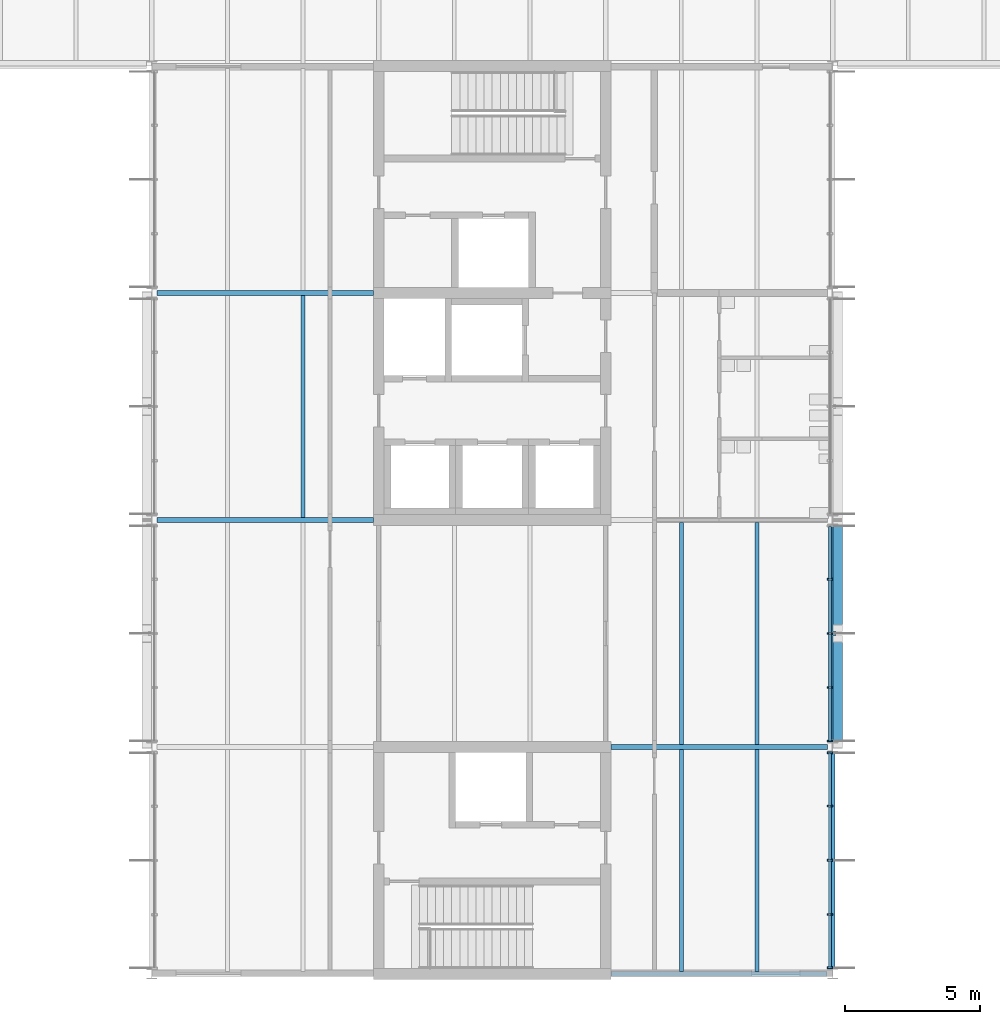
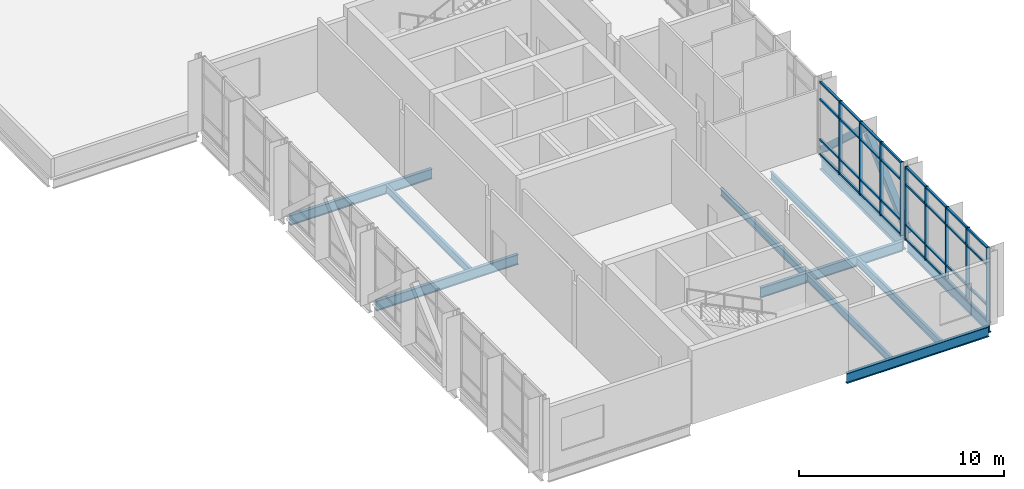
# One storey, part 7 of 26: 43 members, 11 beams, 2 elements without a shape of their own.
"""IFC4 building model written with IfcOpenShell, lengths in metres."""

from ifc_helpers import new_model, si_unit, direction, frame, origin, origin_2d, place, context, subcontext, project, spatial, rectangle, hollow_rectangle, i_section, extrude, material, material_profile, profile_set, type_object, element, aggregate, save


model = new_model("IFC4")

# Units and contexts
model_context = context("Model", 3, precision=1e-05, world=origin(), true_north=direction((0.0, 1.0)))
body_context = subcontext(model_context, "Body", "Model", "MODEL_VIEW")
ifc_project = project(units=[si_unit("LENGTHUNIT", "METRE"), si_unit("AREAUNIT", "SQUARE_METRE"), si_unit("VOLUMEUNIT", "CUBIC_METRE"), si_unit("PLANEANGLEUNIT", "RADIAN"), si_unit("MASSUNIT", "GRAM", prefix="KILO")], contexts=[model_context])

# Site, building, storey
site_placement = place(None, origin())
site = spatial("IfcSite", under=ifc_project, at=site_placement, CompositionType="ELEMENT")
building_placement = place(site_placement, origin())
building = spatial("IfcBuilding", under=site, at=building_placement, Name="Hlaing Beacon Police Headquarters", CompositionType="ELEMENT")
storey_placement = place(building_placement, frame((0.0, 0.0, 23.39990234375)))
storey = spatial("IfcBuildingStorey", under=building, at=storey_placement, Name="L05", CompositionType="ELEMENT", Elevation=23.39990234375)

# Members
ifc_material_1 = material(Name="Steel ASTM A500 Grade C", Category="steel")
ifc_material_profile_1 = material_profile(ifc_material_1, hollow_rectangle(XDim=0.355712890625, YDim=0.355712890625, WallThickness=0.0126953125, at=origin_2d()), Name="HSS14x14x1/2")
ifc_profile_set_1 = profile_set([ifc_material_profile_1], Name="Steel ASTM A500 Grade C")
member_type_1 = type_object("IfcMemberType", Name="Chevron brace HSS14x14x1/2", PredefinedType="BRACE", material=ifc_profile_set_1)
for number, where, z_axis, x_axis, name in (
    (1, (126.181884765625, 42.071044921875, 0.131103515625), (0.0, 0.73795116487, 0.674854116286), (-1.0, 0.0, 0.0), "STR-BR-L05-R6a"),
    (2, (126.181884765625, 50.3291015625, 0.131103515625), (0.0, -0.737972047652, 0.674831280309), (1.0, 0.0, 0.0), "STR-BR-L05-R6b"),
):
    element("IfcMember", number, at=place(storey_placement, frame(where, z_axis=z_axis, x_axis=x_axis)), inside=storey, type_object=member_type_1, Name=name, PredefinedType="BRACE", context=body_context, shape_type="SweptSolid", body=[
        extrude(hollow_rectangle(XDim=0.355712890625, YDim=0.355712890625, WallThickness=0.0126953125, at=origin_2d()), origin(), (0.0, 0.0, 1.0), 5.32421875),
    ])

# Beams
ifc_material_2 = material(Name="Steel ASTM A992 Grade 50", Category="steel")
ifc_material_profile_2 = material_profile(ifc_material_2, i_section(OverallWidth=0.177978515625, OverallDepth=0.599365234375, WebThickness=0.010009765625, FlangeThickness=0.012939453125, FilletRadius=0.012939453125, at=origin_2d()), Name="W24x55")
ifc_profile_set_2 = profile_set([ifc_material_profile_2], Name="Steel ASTM A992 Grade 50")
beam_type_1 = type_object("IfcBeamType", Name="Girder W24x55", PredefinedType="BEAM", material=ifc_profile_set_2)
beam_1_placement = place(storey_placement, frame((117.800048828125, 33.60009765625, -0.4296875), z_axis=(1.0, 0.0, 0.0), x_axis=(0.0, 1.0, 0.0)))
element("IfcBeam", 3, at=beam_1_placement, inside=storey, type_object=beam_type_1, Name="STR-BM-L05-GX-Q5-R5", PredefinedType="BEAM", context=body_context, shape_type="SweptSolid", body=[
    extrude(i_section(OverallWidth=0.177978515625, OverallDepth=0.599365234375, WebThickness=0.010009765625, FlangeThickness=0.012939453125, FilletRadius=0.012939453125, at=origin_2d()), origin(), (0.0, 0.0, 1.0), 7.998046875),
])
for number, where, z_axis, x_axis, name in (
    (4, (117.800048828125, 42.0, -0.4296875), (1.0, 0.0, 0.0), (0.0, 1.0, 0.0), "STR-BM-L05-GX-Q6-R6"),
    (5, (100.9970703125, 50.39990234375, -0.4296875), (1.0, 0.0, 0.0), (0.0, 1.0, 0.0), "STR-BM-L05-GX-N7-P7"),
    (6, (100.9970703125, 58.800048828125, -0.4296875), (1.0, 0.0, 0.0), (0.0, 1.0, 0.0), "STR-BM-L05-GX-N8-P8"),
):
    element("IfcBeam", number, at=place(storey_placement, frame(where, z_axis=z_axis, x_axis=x_axis)), inside=storey, type_object=beam_type_1, Name=name, PredefinedType="BEAM", context=body_context, shape_type="SweptSolid", body=[
        extrude(i_section(OverallWidth=0.177978515625, OverallDepth=0.599365234375, WebThickness=0.010009765625, FlangeThickness=0.012939453125, FilletRadius=0.012939453125, at=origin_2d()), origin(), (0.0, 0.0, 1.0), 8.0029296875),
    ])
beam_2_placement = place(storey_placement, frame((126.0, 33.802978515625, -0.4296875), z_axis=(0.0, 1.0, 0.0), x_axis=(-1.0, 0.0, 0.0)))
element("IfcBeam", 7, at=beam_2_placement, inside=storey, type_object=beam_type_1, Name="STR-BM-L05-GY-R5-R6", PredefinedType="BEAM", context=body_context, shape_type="SweptSolid", body=[
    extrude(i_section(OverallWidth=0.177978515625, OverallDepth=0.599365234375, WebThickness=0.010009765625, FlangeThickness=0.012939453125, FilletRadius=0.012939453125, at=origin_2d()), origin(), (0.0, 0.0, 1.0), 8.009033203125),
])
ifc_material_3 = material(Name="Steel ASTM A992 Grade 50", Category="steel")
ifc_material_profile_3 = material_profile(ifc_material_3, i_section(OverallWidth=0.2666015625, OverallDepth=0.761962890625, WebThickness=0.014404296875, FlangeThickness=0.021484375, FilletRadius=0.0166015625, at=origin_2d()), Name="W30x116")
ifc_profile_set_3 = profile_set([ifc_material_profile_3], Name="Steel ASTM A992 Grade 50")
beam_type_2 = type_object("IfcBeamType", Name="Girder W30x116", PredefinedType="BEAM", material=ifc_profile_set_3)
beam_3_placement = place(storey_placement, frame((126.0, 42.18798828125, -0.510986328125), z_axis=(0.0, 1.0, 0.0), x_axis=(-1.0, 0.0, 0.0)))
element("IfcBeam", 8, at=beam_3_placement, inside=storey, type_object=beam_type_2, Name="STR-BM-L05-GY-R6-R7", PredefinedType="BEAM", context=body_context, shape_type="SweptSolid", body=[
    extrude(i_section(OverallWidth=0.2666015625, OverallDepth=0.761962890625, WebThickness=0.014404296875, FlangeThickness=0.021484375, FilletRadius=0.0166015625, at=origin_2d()), origin(), (0.0, 0.0, 1.0), 8.02392578125),
])

# Curtain wall, members
ifc_material_4 = material(Name="Aluminium frame with solar control glazing", Category="aluminium")
curtain_wall_type_1 = type_object("IfcCurtainWallType", Name="Unitised curtain wall 8.02 x 4.37", PredefinedType="NOTDEFINED", material=ifc_material_4)
curtain_wall_1_placement = place(storey_placement, origin())
curtain_wall_1 = element("IfcCurtainWall", 9, at=curtain_wall_1_placement, inside=storey, type_object=curtain_wall_type_1, Name="ENV-CW-L05-E001", PredefinedType="NOTDEFINED")
ifc_material_5 = material(Name="Aluminium", Category="aluminium")
ifc_material_profile_4 = material_profile(ifc_material_5, rectangle(XDim=0.199951171875, YDim=0.06005859375, at=origin_2d()), Name="Mullion 60x200")
ifc_profile_set_4 = profile_set([ifc_material_profile_4], Name="Aluminium")
member_type_2 = type_object("IfcMemberType", Name="Mullion 60x200", PredefinedType="MULLION", material=ifc_profile_set_4)
member_1_placement = place(storey_placement, frame((125.89990234375, 33.826904296875, 0.0), z_axis=(0.0, 0.0, 1.0), x_axis=(-1.0, 0.0, 0.0)))
member_1 = element("IfcMember", 10, at=member_1_placement, type_object=member_type_2, Name="CW-L05-E001 mullion 1", PredefinedType="MULLION", context=body_context, shape_type="SweptSolid", body=[
    extrude(rectangle(XDim=0.199951171875, YDim=0.06005859375, at=origin_2d()), origin(), (0.0, 0.0, 1.0), 4.3701171875),
])
member_2_placement = place(storey_placement, frame((125.89990234375, 35.801025390625, 0.0), z_axis=(0.0, 0.0, 1.0), x_axis=(-1.0, 0.0, 0.0)))
member_2 = element("IfcMember", 11, at=member_2_placement, type_object=member_type_2, Name="CW-L05-E001 mullion 2", PredefinedType="MULLION", context=body_context, shape_type="SweptSolid", body=[
    extrude(rectangle(XDim=0.199951171875, YDim=0.06005859375, at=origin_2d()), origin(), (0.0, 0.0, 1.0), 4.3701171875),
])
member_3_placement = place(storey_placement, frame((125.89990234375, 37.804931640625, 0.0), z_axis=(0.0, 0.0, 1.0), x_axis=(-1.0, 0.0, 0.0)))
member_3 = element("IfcMember", 12, at=member_3_placement, type_object=member_type_2, Name="CW-L05-E001 mullion 3", PredefinedType="MULLION", context=body_context, shape_type="SweptSolid", body=[
    extrude(rectangle(XDim=0.199951171875, YDim=0.06005859375, at=origin_2d()), origin(), (0.0, 0.0, 1.0), 4.3701171875),
])
member_4_placement = place(storey_placement, frame((125.89990234375, 39.80908203125, 0.0), z_axis=(0.0, 0.0, 1.0), x_axis=(-1.0, 0.0, 0.0)))
member_4 = element("IfcMember", 13, at=member_4_placement, type_object=member_type_2, Name="CW-L05-E001 mullion 4", PredefinedType="MULLION", context=body_context, shape_type="SweptSolid", body=[
    extrude(rectangle(XDim=0.199951171875, YDim=0.06005859375, at=origin_2d()), origin(), (0.0, 0.0, 1.0), 4.3701171875),
])
member_5_placement = place(storey_placement, frame((125.89990234375, 41.783203125, 0.0), z_axis=(0.0, 0.0, 1.0), x_axis=(-1.0, 0.0, 0.0)))
member_5 = element("IfcMember", 14, at=member_5_placement, type_object=member_type_2, Name="CW-L05-E001 mullion 5", PredefinedType="MULLION", context=body_context, shape_type="SweptSolid", body=[
    extrude(rectangle(XDim=0.199951171875, YDim=0.06005859375, at=origin_2d()), origin(), (0.0, 0.0, 1.0), 4.3701171875),
])

ifc_material_6 = material(Name="Aluminium frame with solar control glazing", Category="aluminium")
curtain_wall_type_2 = type_object("IfcCurtainWallType", Name="Unitised curtain wall 8.03 x 4.37", PredefinedType="NOTDEFINED", material=ifc_material_6)
curtain_wall_2_placement = place(storey_placement, origin())
curtain_wall_2 = element("IfcCurtainWall", 15, at=curtain_wall_2_placement, inside=storey, type_object=curtain_wall_type_2, Name="ENV-CW-L05-E002", PredefinedType="NOTDEFINED")
member_6_placement = place(storey_placement, frame((125.89990234375, 42.216796875, 0.0), z_axis=(0.0, 0.0, 1.0), x_axis=(-1.0, 0.0, 0.0)))
member_6 = element("IfcMember", 16, at=member_6_placement, type_object=member_type_2, Name="CW-L05-E002 mullion 1", PredefinedType="MULLION", context=body_context, shape_type="SweptSolid", body=[
    extrude(rectangle(XDim=0.199951171875, YDim=0.06005859375, at=origin_2d()), origin(), (0.0, 0.0, 1.0), 4.3701171875),
])
member_7_placement = place(storey_placement, frame((125.89990234375, 44.193359375, 0.0), z_axis=(0.0, 0.0, 1.0), x_axis=(-1.0, 0.0, 0.0)))
member_7 = element("IfcMember", 17, at=member_7_placement, type_object=member_type_2, Name="CW-L05-E002 mullion 2", PredefinedType="MULLION", context=body_context, shape_type="SweptSolid", body=[
    extrude(rectangle(XDim=0.199951171875, YDim=0.06005859375, at=origin_2d()), origin(), (0.0, 0.0, 1.0), 4.3701171875),
])
member_8_placement = place(storey_placement, frame((125.89990234375, 46.199951171875, 0.0), z_axis=(0.0, 0.0, 1.0), x_axis=(-1.0, 0.0, 0.0)))
member_8 = element("IfcMember", 18, at=member_8_placement, type_object=member_type_2, Name="CW-L05-E002 mullion 3", PredefinedType="MULLION", context=body_context, shape_type="SweptSolid", body=[
    extrude(rectangle(XDim=0.199951171875, YDim=0.06005859375, at=origin_2d()), origin(), (0.0, 0.0, 1.0), 4.3701171875),
])
member_9_placement = place(storey_placement, frame((125.89990234375, 48.20654296875, 0.0), z_axis=(0.0, 0.0, 1.0), x_axis=(-1.0, 0.0, 0.0)))
member_9 = element("IfcMember", 19, at=member_9_placement, type_object=member_type_2, Name="CW-L05-E002 mullion 4", PredefinedType="MULLION", context=body_context, shape_type="SweptSolid", body=[
    extrude(rectangle(XDim=0.199951171875, YDim=0.06005859375, at=origin_2d()), origin(), (0.0, 0.0, 1.0), 4.3701171875),
])

# Beams
ifc_material_7 = material(Name="Steel ASTM A992 Grade 50", Category="steel")
ifc_material_profile_5 = material_profile(ifc_material_7, i_section(OverallWidth=0.15234375, OverallDepth=0.449462890625, WebThickness=0.007568359375, FlangeThickness=0.0107421875, FilletRadius=0.01025390625, at=origin_2d()), Name="W18x35")
ifc_profile_set_5 = profile_set([ifc_material_profile_5], Name="Steel ASTM A992 Grade 50")
beam_type_3 = type_object("IfcBeamType", Name="Secondary beam W18x35", PredefinedType="BEAM", material=ifc_profile_set_5)
for number, where, z_axis, x_axis, name in (
    (20, (106.39990234375, 50.489013671875, -0.354736328125), (0.0, 1.0, 0.0), (-1.0, 0.0, 0.0), "STR-BM-L05-SB-N7-y2"),
    (21, (120.39990234375, 33.68896484375, -0.354736328125), (0.0, 1.0, 0.0), (-1.0, 0.0, 0.0), "STR-BM-L05-SB-Q5-y1"),
    (22, (123.199951171875, 33.68896484375, -0.354736328125), (0.0, 1.0, 0.0), (-1.0, 0.0, 0.0), "STR-BM-L05-SB-Q5-y2"),
    (23, (120.39990234375, 42.089111328125, -0.354736328125), (0.0, 1.0, 0.0), (-1.0, 0.0, 0.0), "STR-BM-L05-SB-Q6-y1"),
    (24, (123.199951171875, 42.089111328125, -0.354736328125), (0.0, 1.0, 0.0), (-1.0, 0.0, 0.0), "STR-BM-L05-SB-Q6-y2"),
):
    element("IfcBeam", number, at=place(storey_placement, frame(where, z_axis=z_axis, x_axis=x_axis)), inside=storey, type_object=beam_type_3, Name=name, PredefinedType="BEAM", context=body_context, shape_type="SweptSolid", body=[
        extrude(i_section(OverallWidth=0.15234375, OverallDepth=0.449462890625, WebThickness=0.007568359375, FlangeThickness=0.0107421875, FilletRadius=0.01025390625, at=origin_2d()), origin(), (0.0, 0.0, 1.0), 8.221923828125),
    ])

# Member
ifc_material_8 = material(Name="Aluminium", Category="aluminium")
ifc_material_profile_6 = material_profile(ifc_material_8, rectangle(XDim=0.1201171875, YDim=0.10009765625, at=origin_2d()), Name="Transom 120x100")
ifc_profile_set_6 = profile_set([ifc_material_profile_6], Name="Aluminium")
member_type_3 = type_object("IfcMemberType", Name="Transom 120x100", PredefinedType="USERDEFINED", material=ifc_profile_set_6)
member_10_placement = place(storey_placement, frame((125.89990234375, 33.856689453125, 0.050048828125), z_axis=(0.0, 1.0, 0.0), x_axis=(-1.0, 0.0, 0.0)))
member_10 = element("IfcMember", 25, at=member_10_placement, type_object=member_type_3, Name="CW-L05-E001 transom 1.1", ObjectType="TRANSOM", PredefinedType="USERDEFINED", context=body_context, shape_type="SweptSolid", body=[
    extrude(rectangle(XDim=0.1201171875, YDim=0.10009765625, at=origin_2d()), origin(), (0.0, 0.0, 1.0), 1.914306640625),
])

member_11_placement = place(storey_placement, frame((125.89990234375, 33.856689453125, 0.900146484375), z_axis=(0.0, 1.0, 0.0), x_axis=(-1.0, 0.0, 0.0)))
member_11 = element("IfcMember", 26, at=member_11_placement, type_object=member_type_3, Name="CW-L05-E001 transom 1.2", ObjectType="TRANSOM", PredefinedType="USERDEFINED", context=body_context, shape_type="SweptSolid", body=[
    extrude(rectangle(XDim=0.1201171875, YDim=0.10009765625, at=origin_2d()), origin(), (0.0, 0.0, 1.0), 1.914306640625),
])

member_12_placement = place(storey_placement, frame((125.89990234375, 33.856689453125, 3.300048828125), z_axis=(0.0, 1.0, 0.0), x_axis=(-1.0, 0.0, 0.0)))
member_12 = element("IfcMember", 27, at=member_12_placement, type_object=member_type_3, Name="CW-L05-E001 transom 1.3", ObjectType="TRANSOM", PredefinedType="USERDEFINED", context=body_context, shape_type="SweptSolid", body=[
    extrude(rectangle(XDim=0.1201171875, YDim=0.10009765625, at=origin_2d()), origin(), (0.0, 0.0, 1.0), 1.914306640625),
])

member_13_placement = place(storey_placement, frame((125.89990234375, 33.856689453125, 4.320068359375), z_axis=(0.0, 1.0, 0.0), x_axis=(-1.0, 0.0, 0.0)))
member_13 = element("IfcMember", 28, at=member_13_placement, type_object=member_type_3, Name="CW-L05-E001 transom 1.4", ObjectType="TRANSOM", PredefinedType="USERDEFINED", context=body_context, shape_type="SweptSolid", body=[
    extrude(rectangle(XDim=0.1201171875, YDim=0.10009765625, at=origin_2d()), origin(), (0.0, 0.0, 1.0), 1.914306640625),
])

member_14_placement = place(storey_placement, frame((125.89990234375, 35.830810546875, 0.050048828125), z_axis=(0.0, 1.0, 0.0), x_axis=(-1.0, 0.0, 0.0)))
member_14 = element("IfcMember", 29, at=member_14_placement, type_object=member_type_3, Name="CW-L05-E001 transom 2.1", ObjectType="TRANSOM", PredefinedType="USERDEFINED", context=body_context, shape_type="SweptSolid", body=[
    extrude(rectangle(XDim=0.1201171875, YDim=0.10009765625, at=origin_2d()), origin(), (0.0, 0.0, 1.0), 1.9443359375),
])

member_15_placement = place(storey_placement, frame((125.89990234375, 35.830810546875, 0.900146484375), z_axis=(0.0, 1.0, 0.0), x_axis=(-1.0, 0.0, 0.0)))
member_15 = element("IfcMember", 30, at=member_15_placement, type_object=member_type_3, Name="CW-L05-E001 transom 2.2", ObjectType="TRANSOM", PredefinedType="USERDEFINED", context=body_context, shape_type="SweptSolid", body=[
    extrude(rectangle(XDim=0.1201171875, YDim=0.10009765625, at=origin_2d()), origin(), (0.0, 0.0, 1.0), 1.9443359375),
])

member_16_placement = place(storey_placement, frame((125.89990234375, 35.830810546875, 3.300048828125), z_axis=(0.0, 1.0, 0.0), x_axis=(-1.0, 0.0, 0.0)))
member_16 = element("IfcMember", 31, at=member_16_placement, type_object=member_type_3, Name="CW-L05-E001 transom 2.3", ObjectType="TRANSOM", PredefinedType="USERDEFINED", context=body_context, shape_type="SweptSolid", body=[
    extrude(rectangle(XDim=0.1201171875, YDim=0.10009765625, at=origin_2d()), origin(), (0.0, 0.0, 1.0), 1.9443359375),
])

member_17_placement = place(storey_placement, frame((125.89990234375, 35.830810546875, 4.320068359375), z_axis=(0.0, 1.0, 0.0), x_axis=(-1.0, 0.0, 0.0)))
member_17 = element("IfcMember", 32, at=member_17_placement, type_object=member_type_3, Name="CW-L05-E001 transom 2.4", ObjectType="TRANSOM", PredefinedType="USERDEFINED", context=body_context, shape_type="SweptSolid", body=[
    extrude(rectangle(XDim=0.1201171875, YDim=0.10009765625, at=origin_2d()), origin(), (0.0, 0.0, 1.0), 1.9443359375),
])

member_18_placement = place(storey_placement, frame((125.89990234375, 37.8349609375, 0.050048828125), z_axis=(0.0, 1.0, 0.0), x_axis=(-1.0, 0.0, 0.0)))
member_18 = element("IfcMember", 33, at=member_18_placement, type_object=member_type_3, Name="CW-L05-E001 transom 3.1", ObjectType="TRANSOM", PredefinedType="USERDEFINED", context=body_context, shape_type="SweptSolid", body=[
    extrude(rectangle(XDim=0.1201171875, YDim=0.10009765625, at=origin_2d()), origin(), (0.0, 0.0, 1.0), 1.9443359375),
])

member_19_placement = place(storey_placement, frame((125.89990234375, 37.8349609375, 0.900146484375), z_axis=(0.0, 1.0, 0.0), x_axis=(-1.0, 0.0, 0.0)))
member_19 = element("IfcMember", 34, at=member_19_placement, type_object=member_type_3, Name="CW-L05-E001 transom 3.2", ObjectType="TRANSOM", PredefinedType="USERDEFINED", context=body_context, shape_type="SweptSolid", body=[
    extrude(rectangle(XDim=0.1201171875, YDim=0.10009765625, at=origin_2d()), origin(), (0.0, 0.0, 1.0), 1.9443359375),
])

member_20_placement = place(storey_placement, frame((125.89990234375, 37.8349609375, 3.300048828125), z_axis=(0.0, 1.0, 0.0), x_axis=(-1.0, 0.0, 0.0)))
member_20 = element("IfcMember", 35, at=member_20_placement, type_object=member_type_3, Name="CW-L05-E001 transom 3.3", ObjectType="TRANSOM", PredefinedType="USERDEFINED", context=body_context, shape_type="SweptSolid", body=[
    extrude(rectangle(XDim=0.1201171875, YDim=0.10009765625, at=origin_2d()), origin(), (0.0, 0.0, 1.0), 1.9443359375),
])

member_21_placement = place(storey_placement, frame((125.89990234375, 37.8349609375, 4.320068359375), z_axis=(0.0, 1.0, 0.0), x_axis=(-1.0, 0.0, 0.0)))
member_21 = element("IfcMember", 36, at=member_21_placement, type_object=member_type_3, Name="CW-L05-E001 transom 3.4", ObjectType="TRANSOM", PredefinedType="USERDEFINED", context=body_context, shape_type="SweptSolid", body=[
    extrude(rectangle(XDim=0.1201171875, YDim=0.10009765625, at=origin_2d()), origin(), (0.0, 0.0, 1.0), 1.9443359375),
])

member_22_placement = place(storey_placement, frame((125.89990234375, 39.839111328125, 0.050048828125), z_axis=(0.0, 1.0, 0.0), x_axis=(-1.0, 0.0, 0.0)))
member_22 = element("IfcMember", 37, at=member_22_placement, type_object=member_type_3, Name="CW-L05-E001 transom 4.1", ObjectType="TRANSOM", PredefinedType="USERDEFINED", context=body_context, shape_type="SweptSolid", body=[
    extrude(rectangle(XDim=0.1201171875, YDim=0.10009765625, at=origin_2d()), origin(), (0.0, 0.0, 1.0), 1.914306640625),
])

member_23_placement = place(storey_placement, frame((125.89990234375, 39.839111328125, 0.900146484375), z_axis=(0.0, 1.0, 0.0), x_axis=(-1.0, 0.0, 0.0)))
member_23 = element("IfcMember", 38, at=member_23_placement, type_object=member_type_3, Name="CW-L05-E001 transom 4.2", ObjectType="TRANSOM", PredefinedType="USERDEFINED", context=body_context, shape_type="SweptSolid", body=[
    extrude(rectangle(XDim=0.1201171875, YDim=0.10009765625, at=origin_2d()), origin(), (0.0, 0.0, 1.0), 1.914306640625),
])

member_24_placement = place(storey_placement, frame((125.89990234375, 39.839111328125, 3.300048828125), z_axis=(0.0, 1.0, 0.0), x_axis=(-1.0, 0.0, 0.0)))
member_24 = element("IfcMember", 39, at=member_24_placement, type_object=member_type_3, Name="CW-L05-E001 transom 4.3", ObjectType="TRANSOM", PredefinedType="USERDEFINED", context=body_context, shape_type="SweptSolid", body=[
    extrude(rectangle(XDim=0.1201171875, YDim=0.10009765625, at=origin_2d()), origin(), (0.0, 0.0, 1.0), 1.914306640625),
])

member_25_placement = place(storey_placement, frame((125.89990234375, 39.839111328125, 4.320068359375), z_axis=(0.0, 1.0, 0.0), x_axis=(-1.0, 0.0, 0.0)))
member_25 = element("IfcMember", 40, at=member_25_placement, type_object=member_type_3, Name="CW-L05-E001 transom 4.4", ObjectType="TRANSOM", PredefinedType="USERDEFINED", context=body_context, shape_type="SweptSolid", body=[
    extrude(rectangle(XDim=0.1201171875, YDim=0.10009765625, at=origin_2d()), origin(), (0.0, 0.0, 1.0), 1.914306640625),
])

aggregate(curtain_wall_1, [member_1, member_2, member_3, member_4, member_5, member_10, member_11, member_12, member_13, member_14, member_15, member_16, member_17, member_18, member_19, member_20, member_21, member_22, member_23, member_24, member_25])

member_26_placement = place(storey_placement, frame((125.89990234375, 42.24658203125, 0.050048828125), z_axis=(0.0, 1.0, 0.0), x_axis=(-1.0, 0.0, 0.0)))
member_26 = element("IfcMember", 41, at=member_26_placement, type_object=member_type_3, Name="CW-L05-E002 transom 1.1", ObjectType="TRANSOM", PredefinedType="USERDEFINED", context=body_context, shape_type="SweptSolid", body=[
    extrude(rectangle(XDim=0.1201171875, YDim=0.10009765625, at=origin_2d()), origin(), (0.0, 0.0, 1.0), 1.916748046875),
])

member_27_placement = place(storey_placement, frame((125.89990234375, 42.24658203125, 0.900146484375), z_axis=(0.0, 1.0, 0.0), x_axis=(-1.0, 0.0, 0.0)))
member_27 = element("IfcMember", 42, at=member_27_placement, type_object=member_type_3, Name="CW-L05-E002 transom 1.2", ObjectType="TRANSOM", PredefinedType="USERDEFINED", context=body_context, shape_type="SweptSolid", body=[
    extrude(rectangle(XDim=0.1201171875, YDim=0.10009765625, at=origin_2d()), origin(), (0.0, 0.0, 1.0), 1.916748046875),
])

member_28_placement = place(storey_placement, frame((125.89990234375, 42.24658203125, 3.300048828125), z_axis=(0.0, 1.0, 0.0), x_axis=(-1.0, 0.0, 0.0)))
member_28 = element("IfcMember", 43, at=member_28_placement, type_object=member_type_3, Name="CW-L05-E002 transom 1.3", ObjectType="TRANSOM", PredefinedType="USERDEFINED", context=body_context, shape_type="SweptSolid", body=[
    extrude(rectangle(XDim=0.1201171875, YDim=0.10009765625, at=origin_2d()), origin(), (0.0, 0.0, 1.0), 1.916748046875),
])

member_29_placement = place(storey_placement, frame((125.89990234375, 42.24658203125, 4.320068359375), z_axis=(0.0, 1.0, 0.0), x_axis=(-1.0, 0.0, 0.0)))
member_29 = element("IfcMember", 44, at=member_29_placement, type_object=member_type_3, Name="CW-L05-E002 transom 1.4", ObjectType="TRANSOM", PredefinedType="USERDEFINED", context=body_context, shape_type="SweptSolid", body=[
    extrude(rectangle(XDim=0.1201171875, YDim=0.10009765625, at=origin_2d()), origin(), (0.0, 0.0, 1.0), 1.916748046875),
])

member_30_placement = place(storey_placement, frame((125.89990234375, 44.223388671875, 0.050048828125), z_axis=(0.0, 1.0, 0.0), x_axis=(-1.0, 0.0, 0.0)))
member_30 = element("IfcMember", 45, at=member_30_placement, type_object=member_type_3, Name="CW-L05-E002 transom 2.1", ObjectType="TRANSOM", PredefinedType="USERDEFINED", context=body_context, shape_type="SweptSolid", body=[
    extrude(rectangle(XDim=0.1201171875, YDim=0.10009765625, at=origin_2d()), origin(), (0.0, 0.0, 1.0), 1.946533203125),
])

member_31_placement = place(storey_placement, frame((125.89990234375, 44.223388671875, 0.900146484375), z_axis=(0.0, 1.0, 0.0), x_axis=(-1.0, 0.0, 0.0)))
member_31 = element("IfcMember", 46, at=member_31_placement, type_object=member_type_3, Name="CW-L05-E002 transom 2.2", ObjectType="TRANSOM", PredefinedType="USERDEFINED", context=body_context, shape_type="SweptSolid", body=[
    extrude(rectangle(XDim=0.1201171875, YDim=0.10009765625, at=origin_2d()), origin(), (0.0, 0.0, 1.0), 1.946533203125),
])

member_32_placement = place(storey_placement, frame((125.89990234375, 44.223388671875, 3.300048828125), z_axis=(0.0, 1.0, 0.0), x_axis=(-1.0, 0.0, 0.0)))
member_32 = element("IfcMember", 47, at=member_32_placement, type_object=member_type_3, Name="CW-L05-E002 transom 2.3", ObjectType="TRANSOM", PredefinedType="USERDEFINED", context=body_context, shape_type="SweptSolid", body=[
    extrude(rectangle(XDim=0.1201171875, YDim=0.10009765625, at=origin_2d()), origin(), (0.0, 0.0, 1.0), 1.946533203125),
])

member_33_placement = place(storey_placement, frame((125.89990234375, 44.223388671875, 4.320068359375), z_axis=(0.0, 1.0, 0.0), x_axis=(-1.0, 0.0, 0.0)))
member_33 = element("IfcMember", 48, at=member_33_placement, type_object=member_type_3, Name="CW-L05-E002 transom 2.4", ObjectType="TRANSOM", PredefinedType="USERDEFINED", context=body_context, shape_type="SweptSolid", body=[
    extrude(rectangle(XDim=0.1201171875, YDim=0.10009765625, at=origin_2d()), origin(), (0.0, 0.0, 1.0), 1.946533203125),
])

member_34_placement = place(storey_placement, frame((125.89990234375, 46.22998046875, 0.050048828125), z_axis=(0.0, 1.0, 0.0), x_axis=(-1.0, 0.0, 0.0)))
member_34 = element("IfcMember", 49, at=member_34_placement, type_object=member_type_3, Name="CW-L05-E002 transom 3.1", ObjectType="TRANSOM", PredefinedType="USERDEFINED", context=body_context, shape_type="SweptSolid", body=[
    extrude(rectangle(XDim=0.1201171875, YDim=0.10009765625, at=origin_2d()), origin(), (0.0, 0.0, 1.0), 1.94677734375),
])

member_35_placement = place(storey_placement, frame((125.89990234375, 46.22998046875, 0.900146484375), z_axis=(0.0, 1.0, 0.0), x_axis=(-1.0, 0.0, 0.0)))
member_35 = element("IfcMember", 50, at=member_35_placement, type_object=member_type_3, Name="CW-L05-E002 transom 3.2", ObjectType="TRANSOM", PredefinedType="USERDEFINED", context=body_context, shape_type="SweptSolid", body=[
    extrude(rectangle(XDim=0.1201171875, YDim=0.10009765625, at=origin_2d()), origin(), (0.0, 0.0, 1.0), 1.94677734375),
])

member_36_placement = place(storey_placement, frame((125.89990234375, 46.22998046875, 3.300048828125), z_axis=(0.0, 1.0, 0.0), x_axis=(-1.0, 0.0, 0.0)))
member_36 = element("IfcMember", 51, at=member_36_placement, type_object=member_type_3, Name="CW-L05-E002 transom 3.3", ObjectType="TRANSOM", PredefinedType="USERDEFINED", context=body_context, shape_type="SweptSolid", body=[
    extrude(rectangle(XDim=0.1201171875, YDim=0.10009765625, at=origin_2d()), origin(), (0.0, 0.0, 1.0), 1.94677734375),
])

member_37_placement = place(storey_placement, frame((125.89990234375, 46.22998046875, 4.320068359375), z_axis=(0.0, 1.0, 0.0), x_axis=(-1.0, 0.0, 0.0)))
member_37 = element("IfcMember", 52, at=member_37_placement, type_object=member_type_3, Name="CW-L05-E002 transom 3.4", ObjectType="TRANSOM", PredefinedType="USERDEFINED", context=body_context, shape_type="SweptSolid", body=[
    extrude(rectangle(XDim=0.1201171875, YDim=0.10009765625, at=origin_2d()), origin(), (0.0, 0.0, 1.0), 1.94677734375),
])

member_38_placement = place(storey_placement, frame((125.89990234375, 48.236572265625, 0.050048828125), z_axis=(0.0, 1.0, 0.0), x_axis=(-1.0, 0.0, 0.0)))
member_38 = element("IfcMember", 53, at=member_38_placement, type_object=member_type_3, Name="CW-L05-E002 transom 4.1", ObjectType="TRANSOM", PredefinedType="USERDEFINED", context=body_context, shape_type="SweptSolid", body=[
    extrude(rectangle(XDim=0.1201171875, YDim=0.10009765625, at=origin_2d()), origin(), (0.0, 0.0, 1.0), 1.916748046875),
])

member_39_placement = place(storey_placement, frame((125.89990234375, 48.236572265625, 0.900146484375), z_axis=(0.0, 1.0, 0.0), x_axis=(-1.0, 0.0, 0.0)))
member_39 = element("IfcMember", 54, at=member_39_placement, type_object=member_type_3, Name="CW-L05-E002 transom 4.2", ObjectType="TRANSOM", PredefinedType="USERDEFINED", context=body_context, shape_type="SweptSolid", body=[
    extrude(rectangle(XDim=0.1201171875, YDim=0.10009765625, at=origin_2d()), origin(), (0.0, 0.0, 1.0), 1.916748046875),
])

member_40_placement = place(storey_placement, frame((125.89990234375, 48.236572265625, 3.300048828125), z_axis=(0.0, 1.0, 0.0), x_axis=(-1.0, 0.0, 0.0)))
member_40 = element("IfcMember", 55, at=member_40_placement, type_object=member_type_3, Name="CW-L05-E002 transom 4.3", ObjectType="TRANSOM", PredefinedType="USERDEFINED", context=body_context, shape_type="SweptSolid", body=[
    extrude(rectangle(XDim=0.1201171875, YDim=0.10009765625, at=origin_2d()), origin(), (0.0, 0.0, 1.0), 1.916748046875),
])

member_41_placement = place(storey_placement, frame((125.89990234375, 48.236572265625, 4.320068359375), z_axis=(0.0, 1.0, 0.0), x_axis=(-1.0, 0.0, 0.0)))
member_41 = element("IfcMember", 56, at=member_41_placement, type_object=member_type_3, Name="CW-L05-E002 transom 4.4", ObjectType="TRANSOM", PredefinedType="USERDEFINED", context=body_context, shape_type="SweptSolid", body=[
    extrude(rectangle(XDim=0.1201171875, YDim=0.10009765625, at=origin_2d()), origin(), (0.0, 0.0, 1.0), 1.916748046875),
])

aggregate(curtain_wall_2, [member_6, member_7, member_8, member_9, member_26, member_27, member_28, member_29, member_30, member_31, member_32, member_33, member_34, member_35, member_36, member_37, member_38, member_39, member_40, member_41])

save(model, "model.ifc")
